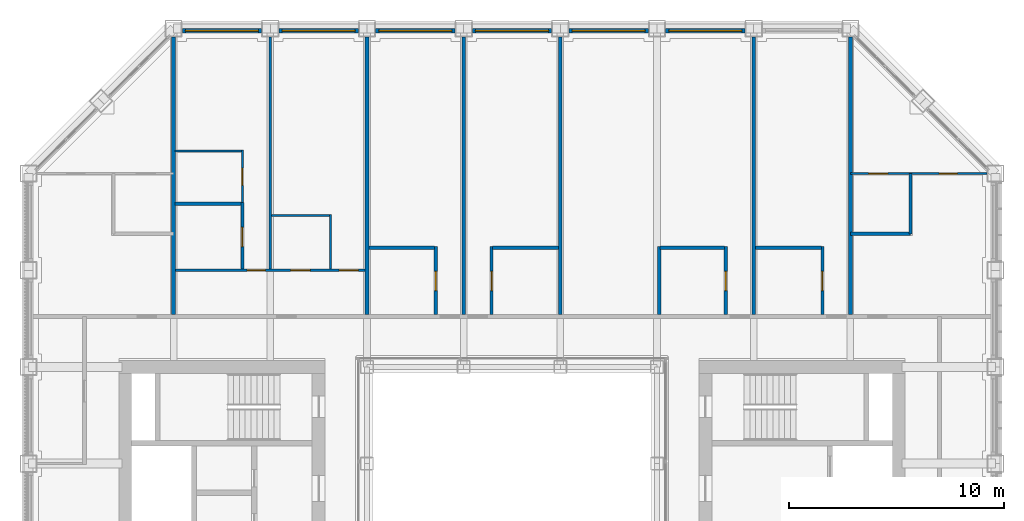
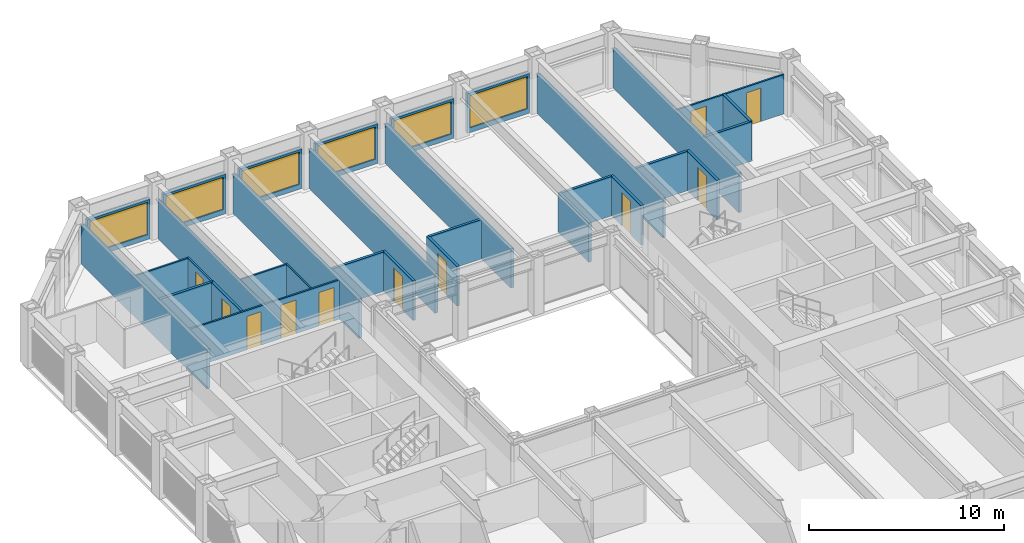
# One storey, part 13 of 17: 32 walls, 11 doors, 6 windows, 17 openings.
"""IFC4 building model written with IfcOpenShell, lengths in metres."""

from ifc_helpers import new_model, si_unit, direction, frame, frame_2d, origin, place, context, subcontext, project, spatial, rectangle, extrude, material, layer, layer_set, type_object, element, fill, save


model = new_model("IFC4")

# Units and contexts
model_context = context("Model", 3, precision=1e-05, world=origin(), true_north=direction((0.0, 1.0)))
body_context = subcontext(model_context, "Body", "Model", "MODEL_VIEW")
ifc_project = project(units=[si_unit("LENGTHUNIT", "METRE"), si_unit("AREAUNIT", "SQUARE_METRE"), si_unit("VOLUMEUNIT", "CUBIC_METRE"), si_unit("PLANEANGLEUNIT", "RADIAN"), si_unit("MASSUNIT", "GRAM", prefix="KILO")], contexts=[model_context])

# Site, building, storey
site_placement = place(None, origin())
site = spatial("IfcSite", under=ifc_project, at=site_placement, CompositionType="ELEMENT")
building_placement = place(site_placement, origin())
building = spatial("IfcBuilding", under=site, at=building_placement, Name="Msasa Ring Tower", CompositionType="ELEMENT")
storey_placement = place(building_placement, frame((0.0, 0.0, 172.39990234375)))
storey = spatial("IfcBuildingStorey", under=building, at=storey_placement, Name="L45", CompositionType="ELEMENT", Elevation=172.39990234375)

# Wall, opening, window
ifc_material_1 = material(Name="Terracotta rainscreen on blockwork", Category="masonry")
ifc_layer_1 = layer(ifc_material_1, 0.199951171875)
ifc_layer_set_1 = layer_set([ifc_layer_1], Name="FW1 TERRACOTTA-LINED INFILL BAY WALL 200")
wall_type_1 = type_object("IfcWallType", Name="FW1 TERRACOTTA-LINED INFILL BAY WALL 200", PredefinedType="SOLIDWALL", material=ifc_layer_set_1)
wall_1_placement = place(storey_placement, frame((-15.344970703125, 22.39990234375, 0.0), z_axis=(0.0, 0.0, 1.0), x_axis=(1.0, 0.0, 0.0)))
wall_1 = element("IfcWall", 1, at=wall_1_placement, inside=storey, type_object=wall_type_1, Name="Infill bay wall N L45 18", PredefinedType="SOLIDWALL", context=body_context, shape_type="SweptSolid", body=[
    extrude(rectangle(XDim=3.68994140625, YDim=0.199951171875, at=frame_2d((1.844970703125, 0.0))), origin(), (0.0, 0.0, 1.0), 2.47900390625),
])
opening_1_placement = place(wall_1_placement, frame((0.14501953125, 0.0, 0.300048828125)))
opening_1 = element("IfcOpeningElement", 2, at=opening_1_placement, cuts=wall_1, Name="Opening WN2", PredefinedType="OPENING", context=body_context, shape_type="SweptSolid", body=[
    extrude(rectangle(XDim=3.39990234375, YDim=2.029052734375, at=frame_2d((1.699951171875, 1.0146484375))), frame((0.0, 0.10986328125, 0.0), z_axis=(0.0, -1.0, 0.0), x_axis=(1.0, 0.0, 0.0)), (0.0, 0.0, 1.0), 0.219970703125),
])
ifc_material_2 = material(Name="Aluminium frame with clear glass", Category="aluminium")
window_type = type_object("IfcWindowType", Name="WN2 GUEST ROOM WINDOW 3400x2029", PartitioningType="SINGLE_PANEL", PredefinedType="WINDOW", material=ifc_material_2)
window_1_placement = place(opening_1_placement, origin())
window_1 = element("IfcWindow", 3, at=window_1_placement, inside=storey, type_object=window_type, Name="Window N L45 18", OverallHeight=2.029052734375, OverallWidth=3.39990234375, PartitioningType="SINGLE_PANEL", PredefinedType="WINDOW", context=body_context, shape_type="SweptSolid", body=[
    extrude(rectangle(XDim=3.39990234375, YDim=2.029052734375, at=frame_2d((1.699951171875, 1.0146484375))), frame((0.0, 0.030029296875, 0.0), z_axis=(0.0, -1.0, 0.0), x_axis=(1.0, 0.0, 0.0)), (0.0, 0.0, 1.0), 0.06005859375),
])
fill(opening_1, window_1)

wall_2_placement = place(storey_placement, frame((-10.844970703125, 22.39990234375, 0.0), z_axis=(0.0, 0.0, 1.0), x_axis=(1.0, 0.0, 0.0)))
wall_2 = element("IfcWall", 4, at=wall_2_placement, inside=storey, type_object=wall_type_1, Name="Infill bay wall N L45 19", PredefinedType="SOLIDWALL", context=body_context, shape_type="SweptSolid", body=[
    extrude(rectangle(XDim=3.68994140625, YDim=0.199951171875, at=frame_2d((1.844970703125, 0.0))), origin(), (0.0, 0.0, 1.0), 2.47900390625),
])
opening_2_placement = place(wall_2_placement, frame((0.14501953125, 0.0, 0.300048828125)))
opening_2 = element("IfcOpeningElement", 5, at=opening_2_placement, cuts=wall_2, Name="Opening WN2", PredefinedType="OPENING", context=body_context, shape_type="SweptSolid", body=[
    extrude(rectangle(XDim=3.39990234375, YDim=2.029052734375, at=frame_2d((1.699951171875, 1.0146484375))), frame((0.0, 0.10986328125, 0.0), z_axis=(0.0, -1.0, 0.0), x_axis=(1.0, 0.0, 0.0)), (0.0, 0.0, 1.0), 0.219970703125),
])
window_2_placement = place(opening_2_placement, origin())
window_2 = element("IfcWindow", 6, at=window_2_placement, inside=storey, type_object=window_type, Name="Window N L45 19", OverallHeight=2.029052734375, OverallWidth=3.39990234375, PartitioningType="SINGLE_PANEL", PredefinedType="WINDOW", context=body_context, shape_type="SweptSolid", body=[
    extrude(rectangle(XDim=3.39990234375, YDim=2.029052734375, at=frame_2d((1.699951171875, 1.0146484375))), frame((0.0, 0.030029296875, 0.0), z_axis=(0.0, -1.0, 0.0), x_axis=(1.0, 0.0, 0.0)), (0.0, 0.0, 1.0), 0.06005859375),
])
fill(opening_2, window_2)

wall_3_placement = place(storey_placement, frame((-6.344970703125, 22.39990234375, 0.0), z_axis=(0.0, 0.0, 1.0), x_axis=(1.0, 0.0, 0.0)))
wall_3 = element("IfcWall", 7, at=wall_3_placement, inside=storey, type_object=wall_type_1, Name="Infill bay wall N L45 20", PredefinedType="SOLIDWALL", context=body_context, shape_type="SweptSolid", body=[
    extrude(rectangle(XDim=3.68994140625, YDim=0.199951171875, at=frame_2d((1.844970703125, 0.0))), origin(), (0.0, 0.0, 1.0), 2.47900390625),
])
opening_3_placement = place(wall_3_placement, frame((0.14501953125, 0.0, 0.300048828125)))
opening_3 = element("IfcOpeningElement", 8, at=opening_3_placement, cuts=wall_3, Name="Opening WN2", PredefinedType="OPENING", context=body_context, shape_type="SweptSolid", body=[
    extrude(rectangle(XDim=3.39990234375, YDim=2.029052734375, at=frame_2d((1.699951171875, 1.0146484375))), frame((0.0, 0.10986328125, 0.0), z_axis=(0.0, -1.0, 0.0), x_axis=(1.0, 0.0, 0.0)), (0.0, 0.0, 1.0), 0.219970703125),
])
window_3_placement = place(opening_3_placement, origin())
window_3 = element("IfcWindow", 9, at=window_3_placement, inside=storey, type_object=window_type, Name="Window N L45 20", OverallHeight=2.029052734375, OverallWidth=3.39990234375, PartitioningType="SINGLE_PANEL", PredefinedType="WINDOW", context=body_context, shape_type="SweptSolid", body=[
    extrude(rectangle(XDim=3.39990234375, YDim=2.029052734375, at=frame_2d((1.699951171875, 1.0146484375))), frame((0.0, 0.030029296875, 0.0), z_axis=(0.0, -1.0, 0.0), x_axis=(1.0, 0.0, 0.0)), (0.0, 0.0, 1.0), 0.06005859375),
])
fill(opening_3, window_3)

wall_4_placement = place(storey_placement, frame((-1.844970703125, 22.39990234375, 0.0), z_axis=(0.0, 0.0, 1.0), x_axis=(1.0, 0.0, 0.0)))
wall_4 = element("IfcWall", 10, at=wall_4_placement, inside=storey, type_object=wall_type_1, Name="Infill bay wall N L45 21", PredefinedType="SOLIDWALL", context=body_context, shape_type="SweptSolid", body=[
    extrude(rectangle(XDim=3.68994140625, YDim=0.199951171875, at=frame_2d((1.844970703125, 0.0))), origin(), (0.0, 0.0, 1.0), 2.47900390625),
])
opening_4_placement = place(wall_4_placement, frame((0.14501953125, 0.0, 0.300048828125)))
opening_4 = element("IfcOpeningElement", 11, at=opening_4_placement, cuts=wall_4, Name="Opening WN2", PredefinedType="OPENING", context=body_context, shape_type="SweptSolid", body=[
    extrude(rectangle(XDim=3.39990234375, YDim=2.029052734375, at=frame_2d((1.699951171875, 1.0146484375))), frame((0.0, 0.10986328125, 0.0), z_axis=(0.0, -1.0, 0.0), x_axis=(1.0, 0.0, 0.0)), (0.0, 0.0, 1.0), 0.219970703125),
])
window_4_placement = place(opening_4_placement, origin())
window_4 = element("IfcWindow", 12, at=window_4_placement, inside=storey, type_object=window_type, Name="Window N L45 21", OverallHeight=2.029052734375, OverallWidth=3.39990234375, PartitioningType="SINGLE_PANEL", PredefinedType="WINDOW", context=body_context, shape_type="SweptSolid", body=[
    extrude(rectangle(XDim=3.39990234375, YDim=2.029052734375, at=frame_2d((1.699951171875, 1.0146484375))), frame((0.0, 0.030029296875, 0.0), z_axis=(0.0, -1.0, 0.0), x_axis=(1.0, 0.0, 0.0)), (0.0, 0.0, 1.0), 0.06005859375),
])
fill(opening_4, window_4)

wall_5_placement = place(storey_placement, frame((2.655029296875, 22.39990234375, 0.0), z_axis=(0.0, 0.0, 1.0), x_axis=(1.0, 0.0, 0.0)))
wall_5 = element("IfcWall", 13, at=wall_5_placement, inside=storey, type_object=wall_type_1, Name="Infill bay wall N L45 22", PredefinedType="SOLIDWALL", context=body_context, shape_type="SweptSolid", body=[
    extrude(rectangle(XDim=3.68994140625, YDim=0.199951171875, at=frame_2d((1.844970703125, 0.0))), origin(), (0.0, 0.0, 1.0), 2.47900390625),
])
opening_5_placement = place(wall_5_placement, frame((0.14501953125, 0.0, 0.300048828125)))
opening_5 = element("IfcOpeningElement", 14, at=opening_5_placement, cuts=wall_5, Name="Opening WN2", PredefinedType="OPENING", context=body_context, shape_type="SweptSolid", body=[
    extrude(rectangle(XDim=3.39990234375, YDim=2.029052734375, at=frame_2d((1.699951171875, 1.0146484375))), frame((0.0, 0.10986328125, 0.0), z_axis=(0.0, -1.0, 0.0), x_axis=(1.0, 0.0, 0.0)), (0.0, 0.0, 1.0), 0.219970703125),
])
window_5_placement = place(opening_5_placement, origin())
window_5 = element("IfcWindow", 15, at=window_5_placement, inside=storey, type_object=window_type, Name="Window N L45 22", OverallHeight=2.029052734375, OverallWidth=3.39990234375, PartitioningType="SINGLE_PANEL", PredefinedType="WINDOW", context=body_context, shape_type="SweptSolid", body=[
    extrude(rectangle(XDim=3.39990234375, YDim=2.029052734375, at=frame_2d((1.699951171875, 1.0146484375))), frame((0.0, 0.030029296875, 0.0), z_axis=(0.0, -1.0, 0.0), x_axis=(1.0, 0.0, 0.0)), (0.0, 0.0, 1.0), 0.06005859375),
])
fill(opening_5, window_5)

wall_6_placement = place(storey_placement, frame((7.155029296875, 22.39990234375, 0.0), z_axis=(0.0, 0.0, 1.0), x_axis=(1.0, 0.0, 0.0)))
wall_6 = element("IfcWall", 16, at=wall_6_placement, inside=storey, type_object=wall_type_1, Name="Infill bay wall N L45 23", PredefinedType="SOLIDWALL", context=body_context, shape_type="SweptSolid", body=[
    extrude(rectangle(XDim=3.68994140625, YDim=0.199951171875, at=frame_2d((1.844970703125, 0.0))), origin(), (0.0, 0.0, 1.0), 2.47900390625),
])
opening_6_placement = place(wall_6_placement, frame((0.14501953125, 0.0, 0.300048828125)))
opening_6 = element("IfcOpeningElement", 17, at=opening_6_placement, cuts=wall_6, Name="Opening WN2", PredefinedType="OPENING", context=body_context, shape_type="SweptSolid", body=[
    extrude(rectangle(XDim=3.39990234375, YDim=2.029052734375, at=frame_2d((1.699951171875, 1.0146484375))), frame((0.0, 0.10986328125, 0.0), z_axis=(0.0, -1.0, 0.0), x_axis=(1.0, 0.0, 0.0)), (0.0, 0.0, 1.0), 0.219970703125),
])
window_6_placement = place(opening_6_placement, origin())
window_6 = element("IfcWindow", 18, at=window_6_placement, inside=storey, type_object=window_type, Name="Window N L45 23", OverallHeight=2.029052734375, OverallWidth=3.39990234375, PartitioningType="SINGLE_PANEL", PredefinedType="WINDOW", context=body_context, shape_type="SweptSolid", body=[
    extrude(rectangle(XDim=3.39990234375, YDim=2.029052734375, at=frame_2d((1.699951171875, 1.0146484375))), frame((0.0, 0.030029296875, 0.0), z_axis=(0.0, -1.0, 0.0), x_axis=(1.0, 0.0, 0.0)), (0.0, 0.0, 1.0), 0.06005859375),
])
fill(opening_6, window_6)

# Wall, openings, doors
ifc_material_3 = material(Name="Gypsum board on steel studs", Category="steel")
ifc_layer_2 = layer(ifc_material_3, 0.10009765625)
ifc_layer_set_2 = layer_set([ifc_layer_2], Name="PT2 STUD PARTITION 100")
wall_type_2 = type_object("IfcWallType", Name="PT2 STUD PARTITION 100", PredefinedType="PARTITIONING", material=ifc_layer_set_2)
wall_7_placement = place(storey_placement, frame((-15.66259765625, 11.25, 0.0), z_axis=(0.0, 0.0, 1.0), x_axis=(1.0, 0.0, 0.0)))
wall_7 = element("IfcWall", 19, at=wall_7_placement, inside=storey, type_object=wall_type_2, Name="Partition L45-GN00HY", PredefinedType="PARTITIONING", context=body_context, shape_type="SweptSolid", body=[
    extrude(rectangle(XDim=8.8251953125, YDim=0.10009765625, at=frame_2d((4.41259765625, 0.0))), origin(), (0.0, 0.0, 1.0), 2.473388671875),
])
opening_7_placement = place(wall_7_placement, frame((5.362548828125, 0.0, 0.0)))
opening_7 = element("IfcOpeningElement", 20, at=opening_7_placement, cuts=wall_7, Name="Opening HF-008", PredefinedType="OPENING", context=body_context, shape_type="SweptSolid", body=[
    extrude(rectangle(XDim=0.89990234375, YDim=2.10009765625, at=frame_2d((0.449951171875, 1.050048828125))), frame((0.0, 0.06005859375, 0.0), z_axis=(0.0, -1.0, 0.0), x_axis=(1.0, 0.0, 0.0)), (0.0, 0.0, 1.0), 0.1201171875),
])
opening_8_placement = place(wall_7_placement, frame((7.612548828125, 0.0, 0.0)))
opening_8 = element("IfcOpeningElement", 21, at=opening_8_placement, cuts=wall_7, Name="Opening HF-009", PredefinedType="OPENING", context=body_context, shape_type="SweptSolid", body=[
    extrude(rectangle(XDim=0.89990234375, YDim=2.10009765625, at=frame_2d((0.449951171875, 1.050048828125))), frame((0.0, 0.06005859375, 0.0), z_axis=(0.0, -1.0, 0.0), x_axis=(1.0, 0.0, 0.0)), (0.0, 0.0, 1.0), 0.1201171875),
])
opening_9_placement = place(wall_7_placement, frame((3.33740234375, 0.0, 0.0)))
opening_9 = element("IfcOpeningElement", 22, at=opening_9_placement, cuts=wall_7, Name="Opening HF-007", PredefinedType="OPENING", context=body_context, shape_type="SweptSolid", body=[
    extrude(rectangle(XDim=0.85009765625, YDim=2.10009765625, at=frame_2d((0.425048828125, 1.050048828125))), frame((0.0, 0.06005859375, 0.0), z_axis=(0.0, -1.0, 0.0), x_axis=(1.0, 0.0, 0.0)), (0.0, 0.0, 1.0), 0.1201171875),
])
ifc_material_4 = material(Name="Timber door leaf in a steel frame", Category="steel")
door_type_1 = type_object("IfcDoorType", Name="D14 BEDROOM DOOR 850x2100", OperationType="SINGLE_SWING_LEFT", PredefinedType="DOOR", material=ifc_material_4)
door_1_placement = place(opening_9_placement, origin())
door_1 = element("IfcDoor", 23, at=door_1_placement, inside=storey, type_object=door_type_1, Name="Door L45-GN00R1", OperationType="SINGLE_SWING_LEFT", OverallHeight=2.10009765625, OverallWidth=0.85009765625, PredefinedType="DOOR", context=body_context, shape_type="SweptSolid", body=[
    extrude(rectangle(XDim=0.85009765625, YDim=2.10009765625, at=frame_2d((0.425048828125, 1.050048828125))), frame((0.0, 0.02490234375, 0.0), z_axis=(0.0, -1.0, 0.0), x_axis=(1.0, 0.0, 0.0)), (0.0, 0.0, 1.0), 0.050048828125),
])
fill(opening_9, door_1)
ifc_material_5 = material(Name="Timber door leaf in a steel frame", Category="steel")
door_type_2 = type_object("IfcDoorType", Name="D22 INTERNAL HALL DOOR 900x2100", OperationType="SINGLE_SWING_LEFT", PredefinedType="DOOR", material=ifc_material_5)
door_2_placement = place(opening_7_placement, origin())
door_2 = element("IfcDoor", 24, at=door_2_placement, inside=storey, type_object=door_type_2, Name="Door L45-GN00K", OperationType="SINGLE_SWING_RIGHT", OverallHeight=2.10009765625, OverallWidth=0.89990234375, PredefinedType="DOOR", context=body_context, shape_type="SweptSolid", body=[
    extrude(rectangle(XDim=0.89990234375, YDim=2.10009765625, at=frame_2d((0.449951171875, 1.050048828125))), frame((0.0, 0.02490234375, 0.0), z_axis=(0.0, -1.0, 0.0), x_axis=(1.0, 0.0, 0.0)), (0.0, 0.0, 1.0), 0.050048828125),
])
fill(opening_7, door_2)
door_3_placement = place(opening_8_placement, origin())
door_3 = element("IfcDoor", 25, at=door_3_placement, inside=storey, type_object=door_type_2, Name="Door L45-GN00L", OperationType="SINGLE_SWING_RIGHT", OverallHeight=2.10009765625, OverallWidth=0.89990234375, PredefinedType="DOOR", context=body_context, shape_type="SweptSolid", body=[
    extrude(rectangle(XDim=0.89990234375, YDim=2.10009765625, at=frame_2d((0.449951171875, 1.050048828125))), frame((0.0, 0.02490234375, 0.0), z_axis=(0.0, -1.0, 0.0), x_axis=(1.0, 0.0, 0.0)), (0.0, 0.0, 1.0), 0.050048828125),
])
fill(opening_8, door_3)

# Walls
wall_8_placement = place(storey_placement, frame((-8.449951171875, 11.300048828125, 0.0), z_axis=(0.0, 0.0, 1.0), x_axis=(0.0, 1.0, 0.0)))
element("IfcWall", 26, at=wall_8_placement, inside=storey, type_object=wall_type_2, Name="Partition L45-GN00KX", PredefinedType="PARTITIONING", context=body_context, shape_type="SweptSolid", body=[
    extrude(rectangle(XDim=2.550048828125, YDim=0.10009765625, at=frame_2d((1.27490234375, 0.0))), origin(), (0.0, 0.0, 1.0), 2.473388671875),
])
wall_9_placement = place(storey_placement, frame((-11.199951171875, 13.800048828125, 0.0), z_axis=(0.0, 0.0, 1.0), x_axis=(1.0, 0.0, 0.0)))
element("IfcWall", 27, at=wall_9_placement, inside=storey, type_object=wall_type_2, Name="Partition L45-GN00KY", PredefinedType="PARTITIONING", context=body_context, shape_type="SweptSolid", body=[
    extrude(rectangle(XDim=2.75, YDim=0.10009765625, at=frame_2d((1.375, 0.0))), origin(), (0.0, 0.0, 1.0), 2.473388671875),
])
wall_10_placement = place(storey_placement, frame((-11.25, 11.300048828125, 0.0), z_axis=(0.0, 0.0, 1.0), x_axis=(0.0, 1.0, 0.0)))
element("IfcWall", 28, at=wall_10_placement, inside=storey, type_object=wall_type_2, Name="Partition L45-GN00P1", PredefinedType="PARTITIONING", context=body_context, shape_type="SweptSolid", body=[
    extrude(rectangle(XDim=10.800048828125, YDim=0.10009765625, at=frame_2d((5.39990234375, 0.0))), origin(), (0.0, 0.0, 1.0), 2.473388671875),
])

# Wall, opening, door
wall_11_placement = place(storey_placement, frame((-12.550048828125, 14.39990234375, 0.0), z_axis=(0.0, 0.0, 1.0), x_axis=(0.0, 1.0, 0.0)))
wall_11 = element("IfcWall", 29, at=wall_11_placement, inside=storey, type_object=wall_type_2, Name="Partition L45-GN00WX1", PredefinedType="PARTITIONING", context=body_context, shape_type="SweptSolid", body=[
    extrude(rectangle(XDim=2.4501953125, YDim=0.10009765625, at=frame_2d((1.22509765625, 0.0))), origin(), (0.0, 0.0, 1.0), 2.473388671875),
])
opening_10_placement = place(wall_11_placement, frame((0.800048828125, 0.0, 0.0)))
opening_10 = element("IfcOpeningElement", 30, at=opening_10_placement, cuts=wall_11, Name="Opening HF-005", PredefinedType="OPENING", context=body_context, shape_type="SweptSolid", body=[
    extrude(rectangle(XDim=0.800048828125, YDim=2.10009765625, at=frame_2d((0.39990234375, 1.050048828125))), frame((0.0, 0.06005859375, 0.0), z_axis=(0.0, -1.0, 0.0), x_axis=(1.0, 0.0, 0.0)), (0.0, 0.0, 1.0), 0.1201171875),
])
ifc_material_6 = material(Name="Timber door leaf in a steel frame", Category="steel")
door_type_3 = type_object("IfcDoorType", Name="D60 DRESSING ROOM DOOR 800x2100", OperationType="SINGLE_SWING_LEFT", PredefinedType="DOOR", material=ifc_material_6)
door_4_placement = place(opening_10_placement, origin())
door_4 = element("IfcDoor", 31, at=door_4_placement, inside=storey, type_object=door_type_3, Name="Door L45-GN00W1", OperationType="SINGLE_SWING_LEFT", OverallHeight=2.10009765625, OverallWidth=0.800048828125, PredefinedType="DOOR", context=body_context, shape_type="SweptSolid", body=[
    extrude(rectangle(XDim=0.800048828125, YDim=2.10009765625, at=frame_2d((0.39990234375, 1.050048828125))), frame((0.0, 0.02490234375, 0.0), z_axis=(0.0, -1.0, 0.0), x_axis=(1.0, 0.0, 0.0)), (0.0, 0.0, 1.0), 0.050048828125),
])
fill(opening_10, door_4)

# Wall
wall_12_placement = place(storey_placement, frame((-15.68994140625, 16.800048828125, 0.0), z_axis=(0.0, 0.0, 1.0), x_axis=(1.0, 0.0, 0.0)))
element("IfcWall", 32, at=wall_12_placement, inside=storey, type_object=wall_type_2, Name="Partition L45-GN00WY1", PredefinedType="PARTITIONING", context=body_context, shape_type="SweptSolid", body=[
    extrude(rectangle(XDim=3.139892578125, YDim=0.10009765625, at=frame_2d((1.56982421875, 0.0))), origin(), (0.0, 0.0, 1.0), 2.473388671875),
])

# Wall, openings, doors
wall_13_placement = place(storey_placement, frame((15.75, 15.75, 0.0), z_axis=(0.0, 0.0, 1.0), x_axis=(1.0, 0.0, 0.0)))
wall_13 = element("IfcWall", 33, at=wall_13_placement, inside=storey, type_object=wall_type_2, Name="Partition L45-CSNEX", PredefinedType="PARTITIONING", context=body_context, shape_type="SweptSolid", body=[
    extrude(rectangle(XDim=6.35009765625, YDim=0.10009765625, at=frame_2d((3.175048828125, 0.0))), origin(), (0.0, 0.0, 1.0), 2.473388671875),
])
opening_11_placement = place(wall_13_placement, frame((4.125, 0.0, 0.0)))
opening_11 = element("IfcOpeningElement", 34, at=opening_11_placement, cuts=wall_13, Name="Opening HF-004", PredefinedType="OPENING", context=body_context, shape_type="SweptSolid", body=[
    extrude(rectangle(XDim=0.85009765625, YDim=2.10009765625, at=frame_2d((0.425048828125, 1.050048828125))), frame((0.0, 0.06005859375, 0.0), z_axis=(0.0, -1.0, 0.0), x_axis=(1.0, 0.0, 0.0)), (0.0, 0.0, 1.0), 0.1201171875),
])
opening_12_placement = place(wall_13_placement, frame((0.85009765625, 0.0, 0.0)))
opening_12 = element("IfcOpeningElement", 35, at=opening_12_placement, cuts=wall_13, Name="Opening HF-003", PredefinedType="OPENING", context=body_context, shape_type="SweptSolid", body=[
    extrude(rectangle(XDim=0.89990234375, YDim=2.10009765625, at=frame_2d((0.449951171875, 1.050048828125))), frame((0.0, 0.06005859375, 0.0), z_axis=(0.0, -1.0, 0.0), x_axis=(1.0, 0.0, 0.0)), (0.0, 0.0, 1.0), 0.1201171875),
])
door_5_placement = place(opening_11_placement, origin())
door_5 = element("IfcDoor", 36, at=door_5_placement, inside=storey, type_object=door_type_1, Name="Door L45-CSNER1", OperationType="SINGLE_SWING_RIGHT", OverallHeight=2.10009765625, OverallWidth=0.85009765625, PredefinedType="DOOR", context=body_context, shape_type="SweptSolid", body=[
    extrude(rectangle(XDim=0.85009765625, YDim=2.10009765625, at=frame_2d((0.425048828125, 1.050048828125))), frame((0.0, 0.02490234375, 0.0), z_axis=(0.0, -1.0, 0.0), x_axis=(1.0, 0.0, 0.0)), (0.0, 0.0, 1.0), 0.050048828125),
])
fill(opening_11, door_5)
ifc_material_7 = material(Name="Timber door leaf in a steel frame", Category="steel")
door_type_4 = type_object("IfcDoorType", Name="D3 BATHROOM DOOR 900x2100", OperationType="SINGLE_SWING_LEFT", PredefinedType="DOOR", material=ifc_material_7)
door_6_placement = place(opening_12_placement, origin())
door_6 = element("IfcDoor", 37, at=door_6_placement, inside=storey, type_object=door_type_4, Name="Door L45-CSNEB1", OperationType="SINGLE_SWING_LEFT", OverallHeight=2.10009765625, OverallWidth=0.89990234375, PredefinedType="DOOR", context=body_context, shape_type="SweptSolid", body=[
    extrude(rectangle(XDim=0.89990234375, YDim=2.10009765625, at=frame_2d((0.449951171875, 1.050048828125))), frame((0.0, 0.02490234375, 0.0), z_axis=(0.0, -1.0, 0.0), x_axis=(1.0, 0.0, 0.0)), (0.0, 0.0, 1.0), 0.050048828125),
])
fill(opening_12, door_6)

# Wall, opening, door
ifc_material_8 = material(Name="Moisture-resistant board on steel studs with a concealed cistern and pipe void, tiled", Category="steel")
ifc_layer_3 = layer(ifc_material_8, 0.14990234375)
ifc_layer_set_3 = layer_set([ifc_layer_3], Name="PT4 BATHROOM WET WALL 150")
wall_type_3 = type_object("IfcWallType", Name="PT4 BATHROOM WET WALL 150", PredefinedType="PARTITIONING", material=ifc_layer_set_3)
wall_14_placement = place(storey_placement, frame((-12.550048828125, 11.300048828125, 0.0), z_axis=(0.0, 0.0, 1.0), x_axis=(0.0, 1.0, 0.0)))
wall_14 = element("IfcWall", 38, at=wall_14_placement, inside=storey, type_object=wall_type_3, Name="Partition L45-GN00BX1", PredefinedType="PARTITIONING", context=body_context, shape_type="SweptSolid", body=[
    extrude(rectangle(XDim=3.099853515625, YDim=0.14990234375, at=frame_2d((1.5498046875, 0.0))), origin(), (0.0, 0.0, 1.0), 2.473388671875),
])
opening_13_placement = place(wall_14_placement, frame((1.050048828125, 0.0, 0.0)))
opening_13 = element("IfcOpeningElement", 39, at=opening_13_placement, cuts=wall_14, Name="Opening HF-006", PredefinedType="OPENING", context=body_context, shape_type="SweptSolid", body=[
    extrude(rectangle(XDim=0.89990234375, YDim=2.10009765625, at=frame_2d((0.449951171875, 1.050048828125))), frame((0.0, 0.0849609375, 0.0), z_axis=(0.0, -1.0, 0.0), x_axis=(1.0, 0.0, 0.0)), (0.0, 0.0, 1.0), 0.169921875),
])
door_7_placement = place(opening_13_placement, origin())
door_7 = element("IfcDoor", 40, at=door_7_placement, inside=storey, type_object=door_type_4, Name="Door L45-GN00B1", OperationType="SINGLE_SWING_LEFT", OverallHeight=2.10009765625, OverallWidth=0.89990234375, PredefinedType="DOOR", context=body_context, shape_type="SweptSolid", body=[
    extrude(rectangle(XDim=0.89990234375, YDim=2.10009765625, at=frame_2d((0.449951171875, 1.050048828125))), frame((0.0, 0.02490234375, 0.0), z_axis=(0.0, -1.0, 0.0), x_axis=(1.0, 0.0, 0.0)), (0.0, 0.0, 1.0), 0.050048828125),
])
fill(opening_13, door_7)

# Wall
wall_15_placement = place(storey_placement, frame((-15.68994140625, 14.35009765625, 0.0), z_axis=(0.0, 0.0, 1.0), x_axis=(1.0, 0.0, 0.0)))
element("IfcWall", 41, at=wall_15_placement, inside=storey, type_object=wall_type_3, Name="Partition L45-GN00BY1", PredefinedType="PARTITIONING", context=body_context, shape_type="SweptSolid", body=[
    extrude(rectangle(XDim=3.139892578125, YDim=0.14990234375, at=frame_2d((1.56982421875, 0.0))), origin(), (0.0, 0.0, 1.0), 2.473388671875),
])

# Wall, opening, door
wall_16_placement = place(storey_placement, frame((-3.550048828125, 9.199951171875, 0.0), z_axis=(0.0, 0.0, 1.0), x_axis=(0.0, 1.0, 0.0)))
wall_16 = element("IfcWall", 42, at=wall_16_placement, inside=storey, type_object=wall_type_3, Name="Partition L45-GN01BX", PredefinedType="PARTITIONING", context=body_context, shape_type="SweptSolid", body=[
    extrude(rectangle(XDim=3.150146484375, YDim=0.14990234375, at=frame_2d((1.5751953125, 0.0))), origin(), (0.0, 0.0, 1.0), 2.473388671875),
])
opening_14_placement = place(wall_16_placement, frame((1.10009765625, 0.0, 0.0)))
opening_14 = element("IfcOpeningElement", 43, at=opening_14_placement, cuts=wall_16, Name="Opening HF-010", PredefinedType="OPENING", context=body_context, shape_type="SweptSolid", body=[
    extrude(rectangle(XDim=0.89990234375, YDim=2.10009765625, at=frame_2d((0.449951171875, 1.050048828125))), frame((0.0, 0.0849609375, 0.0), z_axis=(0.0, -1.0, 0.0), x_axis=(1.0, 0.0, 0.0)), (0.0, 0.0, 1.0), 0.169921875),
])
door_8_placement = place(opening_14_placement, origin())
door_8 = element("IfcDoor", 44, at=door_8_placement, inside=storey, type_object=door_type_4, Name="Door L45-GN01B", OperationType="SINGLE_SWING_LEFT", OverallHeight=2.10009765625, OverallWidth=0.89990234375, PredefinedType="DOOR", context=body_context, shape_type="SweptSolid", body=[
    extrude(rectangle(XDim=0.89990234375, YDim=2.10009765625, at=frame_2d((0.449951171875, 1.050048828125))), frame((0.0, 0.02490234375, 0.0), z_axis=(0.0, -1.0, 0.0), x_axis=(1.0, 0.0, 0.0)), (0.0, 0.0, 1.0), 0.050048828125),
])
fill(opening_14, door_8)

# Wall
wall_17_placement = place(storey_placement, frame((-6.66259765625, 12.300048828125, 0.0), z_axis=(0.0, 0.0, 1.0), x_axis=(1.0, 0.0, 0.0)))
element("IfcWall", 45, at=wall_17_placement, inside=storey, type_object=wall_type_3, Name="Partition L45-GN01BY", PredefinedType="PARTITIONING", context=body_context, shape_type="SweptSolid", body=[
    extrude(rectangle(XDim=3.0625, YDim=0.14990234375, at=frame_2d((1.53125, 0.0))), origin(), (0.0, 0.0, 1.0), 2.473388671875),
])

# Wall, opening, door
wall_18_placement = place(storey_placement, frame((-0.949951171875, 9.199951171875, 0.0), z_axis=(0.0, 0.0, 1.0), x_axis=(0.0, 1.0, 0.0)))
wall_18 = element("IfcWall", 46, at=wall_18_placement, inside=storey, type_object=wall_type_3, Name="Partition L45-GN02BX", PredefinedType="PARTITIONING", context=body_context, shape_type="SweptSolid", body=[
    extrude(rectangle(XDim=3.150146484375, YDim=0.14990234375, at=frame_2d((1.5751953125, 0.0))), origin(), (0.0, 0.0, 1.0), 2.473388671875),
])
opening_15_placement = place(wall_18_placement, frame((1.10009765625, 0.0, 0.0)))
opening_15 = element("IfcOpeningElement", 47, at=opening_15_placement, cuts=wall_18, Name="Opening HF-011", PredefinedType="OPENING", context=body_context, shape_type="SweptSolid", body=[
    extrude(rectangle(XDim=0.89990234375, YDim=2.10009765625, at=frame_2d((0.449951171875, 1.050048828125))), frame((0.0, 0.0849609375, 0.0), z_axis=(0.0, -1.0, 0.0), x_axis=(1.0, 0.0, 0.0)), (0.0, 0.0, 1.0), 0.169921875),
])
door_9_placement = place(opening_15_placement, origin())
door_9 = element("IfcDoor", 48, at=door_9_placement, inside=storey, type_object=door_type_4, Name="Door L45-GN02B", OperationType="SINGLE_SWING_LEFT", OverallHeight=2.10009765625, OverallWidth=0.89990234375, PredefinedType="DOOR", context=body_context, shape_type="SweptSolid", body=[
    extrude(rectangle(XDim=0.89990234375, YDim=2.10009765625, at=frame_2d((0.449951171875, 1.050048828125))), frame((0.0, 0.02490234375, 0.0), z_axis=(0.0, -1.0, 0.0), x_axis=(1.0, 0.0, 0.0)), (0.0, 0.0, 1.0), 0.050048828125),
])
fill(opening_15, door_9)

# Wall
wall_19_placement = place(storey_placement, frame((-0.89990234375, 12.300048828125, 0.0), z_axis=(0.0, 0.0, 1.0), x_axis=(1.0, 0.0, 0.0)))
element("IfcWall", 49, at=wall_19_placement, inside=storey, type_object=wall_type_3, Name="Partition L45-GN02BY", PredefinedType="PARTITIONING", context=body_context, shape_type="SweptSolid", body=[
    extrude(rectangle(XDim=3.0625, YDim=0.14990234375, at=frame_2d((1.53125, 0.0))), origin(), (0.0, 0.0, 1.0), 2.473388671875),
])

# Wall, opening, door
wall_20_placement = place(storey_placement, frame((9.949951171875, 9.199951171875, 0.0), z_axis=(0.0, 0.0, 1.0), x_axis=(0.0, 1.0, 0.0)))
wall_20 = element("IfcWall", 50, at=wall_20_placement, inside=storey, type_object=wall_type_3, Name="Partition L45-GN03BX", PredefinedType="PARTITIONING", context=body_context, shape_type="SweptSolid", body=[
    extrude(rectangle(XDim=3.150146484375, YDim=0.14990234375, at=frame_2d((1.5751953125, 0.0))), origin(), (0.0, 0.0, 1.0), 2.473388671875),
])
opening_16_placement = place(wall_20_placement, frame((1.10009765625, 0.0, 0.0)))
opening_16 = element("IfcOpeningElement", 51, at=opening_16_placement, cuts=wall_20, Name="Opening HF-012", PredefinedType="OPENING", context=body_context, shape_type="SweptSolid", body=[
    extrude(rectangle(XDim=0.89990234375, YDim=2.10009765625, at=frame_2d((0.449951171875, 1.050048828125))), frame((0.0, 0.0849609375, 0.0), z_axis=(0.0, -1.0, 0.0), x_axis=(1.0, 0.0, 0.0)), (0.0, 0.0, 1.0), 0.169921875),
])
door_10_placement = place(opening_16_placement, origin())
door_10 = element("IfcDoor", 52, at=door_10_placement, inside=storey, type_object=door_type_4, Name="Door L45-GN03B", OperationType="SINGLE_SWING_LEFT", OverallHeight=2.10009765625, OverallWidth=0.89990234375, PredefinedType="DOOR", context=body_context, shape_type="SweptSolid", body=[
    extrude(rectangle(XDim=0.89990234375, YDim=2.10009765625, at=frame_2d((0.449951171875, 1.050048828125))), frame((0.0, 0.02490234375, 0.0), z_axis=(0.0, -1.0, 0.0), x_axis=(1.0, 0.0, 0.0)), (0.0, 0.0, 1.0), 0.050048828125),
])
fill(opening_16, door_10)

# Walls
wall_21_placement = place(storey_placement, frame((6.85009765625, 9.199951171875, 0.0), z_axis=(0.0, 0.0, 1.0), x_axis=(0.0, 1.0, 0.0)))
element("IfcWall", 53, at=wall_21_placement, inside=storey, type_object=wall_type_3, Name="Partition L45-GN03BF", PredefinedType="PARTITIONING", context=body_context, shape_type="SweptSolid", body=[
    extrude(rectangle(XDim=3.150146484375, YDim=0.14990234375, at=frame_2d((1.5751953125, 0.0))), origin(), (0.0, 0.0, 1.0), 2.473388671875),
])
wall_22_placement = place(storey_placement, frame((6.89990234375, 12.300048828125, 0.0), z_axis=(0.0, 0.0, 1.0), x_axis=(1.0, 0.0, 0.0)))
element("IfcWall", 54, at=wall_22_placement, inside=storey, type_object=wall_type_3, Name="Partition L45-GN03BY", PredefinedType="PARTITIONING", context=body_context, shape_type="SweptSolid", body=[
    extrude(rectangle(XDim=3.0, YDim=0.14990234375, at=frame_2d((1.5, 0.0))), origin(), (0.0, 0.0, 1.0), 2.473388671875),
])

# Wall, opening, door
wall_23_placement = place(storey_placement, frame((14.449951171875, 9.199951171875, 0.0), z_axis=(0.0, 0.0, 1.0), x_axis=(0.0, 1.0, 0.0)))
wall_23 = element("IfcWall", 55, at=wall_23_placement, inside=storey, type_object=wall_type_3, Name="Partition L45-GN04BX", PredefinedType="PARTITIONING", context=body_context, shape_type="SweptSolid", body=[
    extrude(rectangle(XDim=3.150146484375, YDim=0.14990234375, at=frame_2d((1.5751953125, 0.0))), origin(), (0.0, 0.0, 1.0), 2.473388671875),
])
opening_17_placement = place(wall_23_placement, frame((1.10009765625, 0.0, 0.0)))
opening_17 = element("IfcOpeningElement", 56, at=opening_17_placement, cuts=wall_23, Name="Opening HF-013", PredefinedType="OPENING", context=body_context, shape_type="SweptSolid", body=[
    extrude(rectangle(XDim=0.89990234375, YDim=2.10009765625, at=frame_2d((0.449951171875, 1.050048828125))), frame((0.0, 0.0849609375, 0.0), z_axis=(0.0, -1.0, 0.0), x_axis=(1.0, 0.0, 0.0)), (0.0, 0.0, 1.0), 0.169921875),
])
door_11_placement = place(opening_17_placement, origin())
door_11 = element("IfcDoor", 57, at=door_11_placement, inside=storey, type_object=door_type_4, Name="Door L45-GN04B", OperationType="SINGLE_SWING_LEFT", OverallHeight=2.10009765625, OverallWidth=0.89990234375, PredefinedType="DOOR", context=body_context, shape_type="SweptSolid", body=[
    extrude(rectangle(XDim=0.89990234375, YDim=2.10009765625, at=frame_2d((0.449951171875, 1.050048828125))), frame((0.0, 0.02490234375, 0.0), z_axis=(0.0, -1.0, 0.0), x_axis=(1.0, 0.0, 0.0)), (0.0, 0.0, 1.0), 0.050048828125),
])
fill(opening_17, door_11)

# Walls
wall_24_placement = place(storey_placement, frame((11.33740234375, 12.300048828125, 0.0), z_axis=(0.0, 0.0, 1.0), x_axis=(1.0, 0.0, 0.0)))
element("IfcWall", 58, at=wall_24_placement, inside=storey, type_object=wall_type_3, Name="Partition L45-GN04BY", PredefinedType="PARTITIONING", context=body_context, shape_type="SweptSolid", body=[
    extrude(rectangle(XDim=3.0625, YDim=0.14990234375, at=frame_2d((1.53125, 0.0))), origin(), (0.0, 0.0, 1.0), 2.473388671875),
])
for number, where, z_axis, x_axis, name in (
    (59, (18.550048828125, 12.949951171875, 0.0), (0.0, 0.0, 1.0), (0.0, 1.0, 0.0), "Partition L45-CSNEBX"),
    (60, (15.75, 12.949951171875, 0.0), (0.0, 0.0, 1.0), (1.0, 0.0, 0.0), "Partition L45-CSNEBY"),
):
    element("IfcWall", number, at=place(storey_placement, frame(where, z_axis=z_axis, x_axis=x_axis)), inside=storey, type_object=wall_type_3, Name=name, PredefinedType="PARTITIONING", context=body_context, shape_type="SweptSolid", body=[
        extrude(rectangle(XDim=2.800048828125, YDim=0.14990234375, at=frame_2d((1.39990234375, 0.0))), origin(), (0.0, 0.0, 1.0), 2.473388671875),
    ])
ifc_material_9 = material(Name="Twin steel studs, two layers of acoustic board each face, mineral wool", Category="steel")
ifc_layer_4 = layer(ifc_material_9, 0.175048828125)
ifc_layer_set_4 = layer_set([ifc_layer_4], Name="PT5 GUEST ROOM SEPARATING WALL 175")
wall_type_4 = type_object("IfcWallType", Name="PT5 GUEST ROOM SEPARATING WALL 175", PredefinedType="PARTITIONING", material=ifc_layer_set_4)
for number, where, z_axis, x_axis, name in (
    (61, (-15.75, 9.199951171875, 0.0), (0.0, 0.0, 1.0), (0.0, 1.0, 0.0), "Partition L45-PWN-15.75"),
    (62, (-6.75, 9.199951171875, 0.0), (0.0, 0.0, 1.0), (0.0, 1.0, 0.0), "Partition L45-PWN-6.75"),
    (63, (-2.25, 9.199951171875, 0.0), (0.0, 0.0, 1.0), (0.0, 1.0, 0.0), "Partition L45-PWN-2.25"),
    (64, (2.25, 9.199951171875, 0.0), (0.0, 0.0, 1.0), (0.0, 1.0, 0.0), "Partition L45-PWN+2.25"),
    (65, (11.25, 9.199951171875, 0.0), (0.0, 0.0, 1.0), (0.0, 1.0, 0.0), "Partition L45-PWN+11.25"),
    (66, (15.75, 9.199951171875, 0.0), (0.0, 0.0, 1.0), (0.0, 1.0, 0.0), "Partition L45-PWN+15.75"),
):
    element("IfcWall", number, at=place(storey_placement, frame(where, z_axis=z_axis, x_axis=x_axis)), inside=storey, type_object=wall_type_4, Name=name, PredefinedType="PARTITIONING", context=body_context, shape_type="SweptSolid", body=[
        extrude(rectangle(XDim=12.900146484375, YDim=0.175048828125, at=frame_2d((6.4501953125, 0.0))), origin(), (0.0, 0.0, 1.0), 2.473388671875),
    ])

save(model, "model.ifc")
